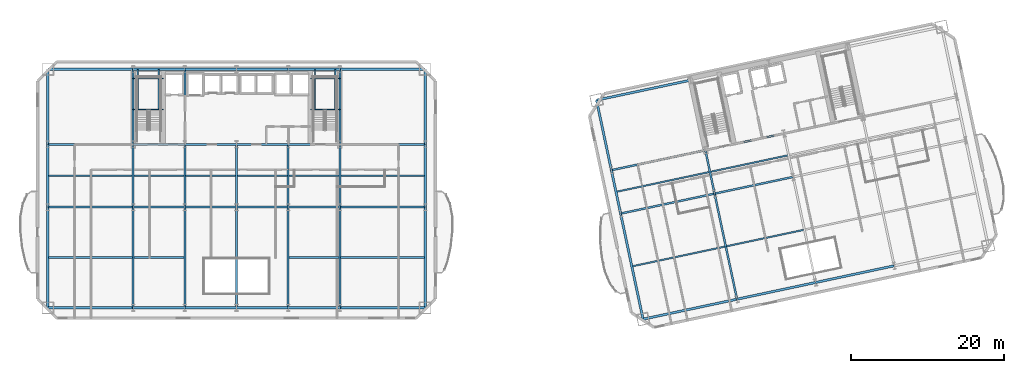
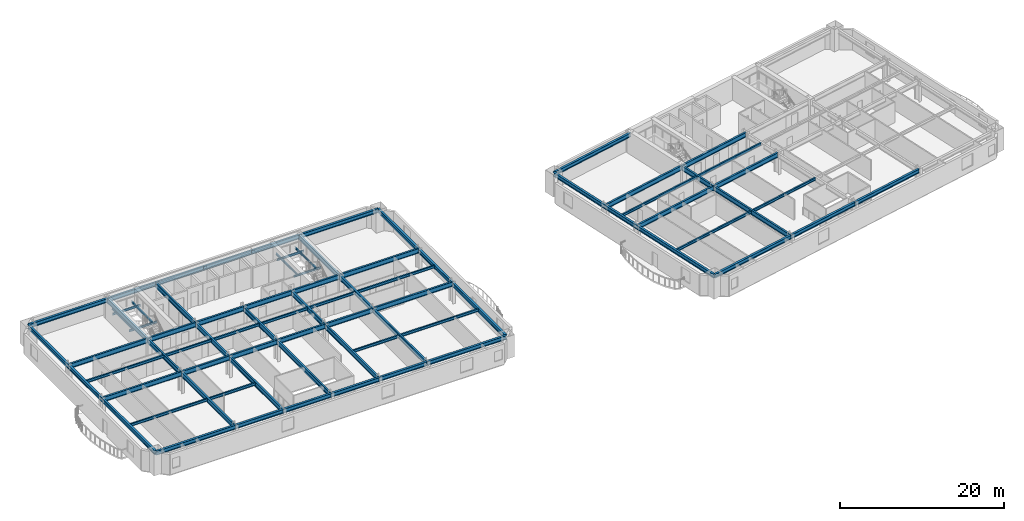
# One storey, part 3 of 16: 78 beams.
"""IFC4 building model written with IfcOpenShell, lengths in metres."""

from ifc_helpers import new_model, si_unit, direction, frame, origin, origin_2d, place, context, subcontext, project, spatial, i_section, extrude, material, material_profile, profile_set, type_object, element, save


model = new_model("IFC4")

# Units and contexts
model_context = context("Model", 3, precision=1e-05, world=origin(), true_north=direction((0.0, 1.0)))
body_context = subcontext(model_context, "Body", "Model", "MODEL_VIEW")
ifc_project = project(units=[si_unit("LENGTHUNIT", "METRE"), si_unit("AREAUNIT", "SQUARE_METRE"), si_unit("VOLUMEUNIT", "CUBIC_METRE"), si_unit("PLANEANGLEUNIT", "RADIAN"), si_unit("MASSUNIT", "GRAM", prefix="KILO")], contexts=[model_context])

# Site, building, storey
site_placement = place(None, origin())
site = spatial("IfcSite", under=ifc_project, at=site_placement, CompositionType="ELEMENT")
building_placement = place(site_placement, origin())
building = spatial("IfcBuilding", under=site, at=building_placement, Name="Haevon Station Towers", CompositionType="ELEMENT")
storey_placement = place(building_placement, frame((0.0, 0.0, 53.699951171875)))
storey = spatial("IfcBuildingStorey", under=building, at=storey_placement, Name="L13", CompositionType="ELEMENT", Elevation=53.699951171875)

# Beams
ifc_material = material(Name="Steel S355", Category="steel")
ifc_material_profile_1 = material_profile(ifc_material, i_section(OverallWidth=0.25, OverallDepth=0.699951171875, WebThickness=0.012939453125, FlangeThickness=0.02392578125, at=origin_2d()), Name="H-700x250x13x24")
ifc_profile_set_1 = profile_set([ifc_material_profile_1], Name="Steel S355")
beam_type_1 = type_object("IfcBeamType", Name="BM-G700", PredefinedType="BEAM", material=ifc_profile_set_1)
beam_1_placement = place(storey_placement, frame((12.85009765625, 30.0, 2.699951171875), z_axis=(1.0, 0.0, 0.0), x_axis=(0.0, 1.0, 0.0)))
element("IfcBeam", 1, at=beam_1_placement, inside=storey, type_object=beam_type_1, Name="BM-T1U-L13-02-01", PredefinedType="BEAM", context=body_context, shape_type="SweptSolid", body=[
    extrude(i_section(OverallWidth=0.25, OverallDepth=0.699951171875, WebThickness=0.012939453125, FlangeThickness=0.02392578125, at=origin_2d()), origin(), (0.0, 0.0, 1.0), 11.14990234375),
])
for number, where, z_axis, x_axis, name in (
    (2, (24.0, 30.0, 2.699951171875), (1.0, 0.0, 0.0), (0.0, 1.0, 0.0), "BM-T1U-L13-02-02"),
    (3, (30.75, 30.0, 2.699951171875), (1.0, 0.0, 0.0), (0.0, 1.0, 0.0), "BM-T1U-L13-02-03"),
    (4, (37.5, 30.0, 2.699951171875), (1.0, 0.0, 0.0), (0.0, 1.0, 0.0), "BM-T1U-L13-02-04"),
    (5, (44.25, 30.0, 2.699951171875), (1.0, 0.0, 0.0), (0.0, 1.0, 0.0), "BM-T1U-L13-02-05"),
):
    element("IfcBeam", number, at=place(storey_placement, frame(where, z_axis=z_axis, x_axis=x_axis)), inside=storey, type_object=beam_type_1, Name=name, PredefinedType="BEAM", context=body_context, shape_type="SweptSolid", body=[
        extrude(i_section(OverallWidth=0.25, OverallDepth=0.699951171875, WebThickness=0.012939453125, FlangeThickness=0.02392578125, at=origin_2d()), origin(), (0.0, 0.0, 1.0), 6.75),
    ])
for number, where, z_axis, x_axis, name in (
    (6, (51.0, 30.0, 2.699951171875), (1.0, 0.0, 0.0), (0.0, 1.0, 0.0), "BM-T1U-L13-02-06"),
    (7, (12.85009765625, 38.199951171875, 2.699951171875), (1.0, 0.0, 0.0), (0.0, 1.0, 0.0), "BM-T1U-L13-03-01"),
):
    element("IfcBeam", number, at=place(storey_placement, frame(where, z_axis=z_axis, x_axis=x_axis)), inside=storey, type_object=beam_type_1, Name=name, PredefinedType="BEAM", context=body_context, shape_type="SweptSolid", body=[
        extrude(i_section(OverallWidth=0.25, OverallDepth=0.699951171875, WebThickness=0.012939453125, FlangeThickness=0.02392578125, at=origin_2d()), origin(), (0.0, 0.0, 1.0), 11.14990234375),
    ])
for number, where, z_axis, x_axis, name in (
    (8, (24.0, 38.199951171875, 2.699951171875), (1.0, 0.0, 0.0), (0.0, 1.0, 0.0), "BM-T1U-L13-03-02"),
    (9, (30.75, 38.199951171875, 2.699951171875), (1.0, 0.0, 0.0), (0.0, 1.0, 0.0), "BM-T1U-L13-03-03"),
    (10, (37.5, 38.199951171875, 2.699951171875), (1.0, 0.0, 0.0), (0.0, 1.0, 0.0), "BM-T1U-L13-03-04"),
    (11, (44.25, 38.199951171875, 2.699951171875), (1.0, 0.0, 0.0), (0.0, 1.0, 0.0), "BM-T1U-L13-03-05"),
):
    element("IfcBeam", number, at=place(storey_placement, frame(where, z_axis=z_axis, x_axis=x_axis)), inside=storey, type_object=beam_type_1, Name=name, PredefinedType="BEAM", context=body_context, shape_type="SweptSolid", body=[
        extrude(i_section(OverallWidth=0.25, OverallDepth=0.699951171875, WebThickness=0.012939453125, FlangeThickness=0.02392578125, at=origin_2d()), origin(), (0.0, 0.0, 1.0), 6.75),
    ])
beam_2_placement = place(storey_placement, frame((51.0, 38.199951171875, 2.699951171875), z_axis=(1.0, 0.0, 0.0), x_axis=(0.0, 1.0, 0.0)))
element("IfcBeam", 12, at=beam_2_placement, inside=storey, type_object=beam_type_1, Name="BM-T1U-L13-03-06", PredefinedType="BEAM", context=body_context, shape_type="SweptSolid", body=[
    extrude(i_section(OverallWidth=0.25, OverallDepth=0.699951171875, WebThickness=0.012939453125, FlangeThickness=0.02392578125, at=origin_2d()), origin(), (0.0, 0.0, 1.0), 11.14990234375),
])
beam_3_placement = place(storey_placement, frame((24.0, 16.85009765625, 2.699951171875), z_axis=(0.0, 1.0, 0.0), x_axis=(-1.0, 0.0, 0.0)))
element("IfcBeam", 13, at=beam_3_placement, inside=storey, type_object=beam_type_1, Name="BM-T1V-L13-02-01", PredefinedType="BEAM", context=body_context, shape_type="SweptSolid", body=[
    extrude(i_section(OverallWidth=0.25, OverallDepth=0.699951171875, WebThickness=0.012939453125, FlangeThickness=0.02392578125, at=origin_2d()), origin(), (0.0, 0.0, 1.0), 13.14990234375),
])
beam_4_placement = place(storey_placement, frame((24.0, 30.0, 2.699951171875), z_axis=(0.0, 1.0, 0.0), x_axis=(-1.0, 0.0, 0.0)))
element("IfcBeam", 14, at=beam_4_placement, inside=storey, type_object=beam_type_1, Name="BM-T1V-L13-02-02", PredefinedType="BEAM", context=body_context, shape_type="SweptSolid", body=[
    extrude(i_section(OverallWidth=0.25, OverallDepth=0.699951171875, WebThickness=0.012939453125, FlangeThickness=0.02392578125, at=origin_2d()), origin(), (0.0, 0.0, 1.0), 8.199951171875),
])
beam_5_placement = place(storey_placement, frame((24.0, 38.199951171875, 2.699951171875), z_axis=(0.0, 1.0, 0.0), x_axis=(-1.0, 0.0, 0.0)))
element("IfcBeam", 15, at=beam_5_placement, inside=storey, type_object=beam_type_1, Name="BM-T1V-L13-02-03", PredefinedType="BEAM", context=body_context, shape_type="SweptSolid", body=[
    extrude(i_section(OverallWidth=0.25, OverallDepth=0.699951171875, WebThickness=0.012939453125, FlangeThickness=0.02392578125, at=origin_2d()), origin(), (0.0, 0.0, 1.0), 9.800048828125),
])
beam_6_placement = place(storey_placement, frame((30.75, 16.85009765625, 2.699951171875), z_axis=(0.0, 1.0, 0.0), x_axis=(-1.0, 0.0, 0.0)))
element("IfcBeam", 16, at=beam_6_placement, inside=storey, type_object=beam_type_1, Name="BM-T1V-L13-03-01", PredefinedType="BEAM", context=body_context, shape_type="SweptSolid", body=[
    extrude(i_section(OverallWidth=0.25, OverallDepth=0.699951171875, WebThickness=0.012939453125, FlangeThickness=0.02392578125, at=origin_2d()), origin(), (0.0, 0.0, 1.0), 13.14990234375),
])
beam_7_placement = place(storey_placement, frame((30.75, 30.0, 2.699951171875), z_axis=(0.0, 1.0, 0.0), x_axis=(-1.0, 0.0, 0.0)))
element("IfcBeam", 17, at=beam_7_placement, inside=storey, type_object=beam_type_1, Name="BM-T1V-L13-03-02", PredefinedType="BEAM", context=body_context, shape_type="SweptSolid", body=[
    extrude(i_section(OverallWidth=0.25, OverallDepth=0.699951171875, WebThickness=0.012939453125, FlangeThickness=0.02392578125, at=origin_2d()), origin(), (0.0, 0.0, 1.0), 8.199951171875),
])
beam_8_placement = place(storey_placement, frame((30.75, 38.199951171875, 2.699951171875), z_axis=(0.0, 1.0, 0.0), x_axis=(-1.0, 0.0, 0.0)))
element("IfcBeam", 18, at=beam_8_placement, inside=storey, type_object=beam_type_1, Name="BM-T1V-L13-03-03", PredefinedType="BEAM", context=body_context, shape_type="SweptSolid", body=[
    extrude(i_section(OverallWidth=0.25, OverallDepth=0.699951171875, WebThickness=0.012939453125, FlangeThickness=0.02392578125, at=origin_2d()), origin(), (0.0, 0.0, 1.0), 9.800048828125),
])
beam_9_placement = place(storey_placement, frame((37.5, 16.85009765625, 2.699951171875), z_axis=(0.0, 1.0, 0.0), x_axis=(-1.0, 0.0, 0.0)))
element("IfcBeam", 19, at=beam_9_placement, inside=storey, type_object=beam_type_1, Name="BM-T1V-L13-04-01", PredefinedType="BEAM", context=body_context, shape_type="SweptSolid", body=[
    extrude(i_section(OverallWidth=0.25, OverallDepth=0.699951171875, WebThickness=0.012939453125, FlangeThickness=0.02392578125, at=origin_2d()), origin(), (0.0, 0.0, 1.0), 13.14990234375),
])
beam_10_placement = place(storey_placement, frame((37.5, 30.0, 2.699951171875), z_axis=(0.0, 1.0, 0.0), x_axis=(-1.0, 0.0, 0.0)))
element("IfcBeam", 20, at=beam_10_placement, inside=storey, type_object=beam_type_1, Name="BM-T1V-L13-04-02", PredefinedType="BEAM", context=body_context, shape_type="SweptSolid", body=[
    extrude(i_section(OverallWidth=0.25, OverallDepth=0.699951171875, WebThickness=0.012939453125, FlangeThickness=0.02392578125, at=origin_2d()), origin(), (0.0, 0.0, 1.0), 8.199951171875),
])
beam_11_placement = place(storey_placement, frame((44.25, 16.85009765625, 2.699951171875), z_axis=(0.0, 1.0, 0.0), x_axis=(-1.0, 0.0, 0.0)))
element("IfcBeam", 21, at=beam_11_placement, inside=storey, type_object=beam_type_1, Name="BM-T1V-L13-05-01", PredefinedType="BEAM", context=body_context, shape_type="SweptSolid", body=[
    extrude(i_section(OverallWidth=0.25, OverallDepth=0.699951171875, WebThickness=0.012939453125, FlangeThickness=0.02392578125, at=origin_2d()), origin(), (0.0, 0.0, 1.0), 13.14990234375),
])
beam_12_placement = place(storey_placement, frame((44.25, 30.0, 2.699951171875), z_axis=(0.0, 1.0, 0.0), x_axis=(-1.0, 0.0, 0.0)))
element("IfcBeam", 22, at=beam_12_placement, inside=storey, type_object=beam_type_1, Name="BM-T1V-L13-05-02", PredefinedType="BEAM", context=body_context, shape_type="SweptSolid", body=[
    extrude(i_section(OverallWidth=0.25, OverallDepth=0.699951171875, WebThickness=0.012939453125, FlangeThickness=0.02392578125, at=origin_2d()), origin(), (0.0, 0.0, 1.0), 8.199951171875),
])
beam_13_placement = place(storey_placement, frame((51.0, 16.85009765625, 2.699951171875), z_axis=(0.0, 1.0, 0.0), x_axis=(-1.0, 0.0, 0.0)))
element("IfcBeam", 23, at=beam_13_placement, inside=storey, type_object=beam_type_1, Name="BM-T1V-L13-06-01", PredefinedType="BEAM", context=body_context, shape_type="SweptSolid", body=[
    extrude(i_section(OverallWidth=0.25, OverallDepth=0.699951171875, WebThickness=0.012939453125, FlangeThickness=0.02392578125, at=origin_2d()), origin(), (0.0, 0.0, 1.0), 13.14990234375),
])
beam_14_placement = place(storey_placement, frame((51.0, 30.0, 2.699951171875), z_axis=(0.0, 1.0, 0.0), x_axis=(-1.0, 0.0, 0.0)))
element("IfcBeam", 24, at=beam_14_placement, inside=storey, type_object=beam_type_1, Name="BM-T1V-L13-06-02", PredefinedType="BEAM", context=body_context, shape_type="SweptSolid", body=[
    extrude(i_section(OverallWidth=0.25, OverallDepth=0.699951171875, WebThickness=0.012939453125, FlangeThickness=0.02392578125, at=origin_2d()), origin(), (0.0, 0.0, 1.0), 8.199951171875),
])
beam_15_placement = place(storey_placement, frame((51.0, 38.199951171875, 2.699951171875), z_axis=(0.0, 1.0, 0.0), x_axis=(-1.0, 0.0, 0.0)))
element("IfcBeam", 25, at=beam_15_placement, inside=storey, type_object=beam_type_1, Name="BM-T1V-L13-06-03", PredefinedType="BEAM", context=body_context, shape_type="SweptSolid", body=[
    extrude(i_section(OverallWidth=0.25, OverallDepth=0.699951171875, WebThickness=0.012939453125, FlangeThickness=0.02392578125, at=origin_2d()), origin(), (0.0, 0.0, 1.0), 9.800048828125),
])
beam_16_placement = place(storey_placement, frame((87.682373046875, 29.159912109375, 2.699951171875), z_axis=(0.978150643069, 0.207897377242, 0.0), x_axis=(-0.207897377242, 0.978150643069, 0.0)))
element("IfcBeam", 26, at=beam_16_placement, inside=storey, type_object=beam_type_1, Name="BM-T2U-L13-02-01", PredefinedType="BEAM", context=body_context, shape_type="SweptSolid", body=[
    extrude(i_section(OverallWidth=0.25, OverallDepth=0.699951171875, WebThickness=0.012939453125, FlangeThickness=0.02392578125, at=origin_2d()), origin(), (0.0, 0.0, 1.0), 12.550048828125),
])
beam_17_placement = place(storey_placement, frame((99.958251953125, 31.76904296875, 2.699951171875), z_axis=(0.978146794194, 0.207915485254, 0.0), x_axis=(-0.207915485254, 0.978146794194, 0.0)))
element("IfcBeam", 27, at=beam_17_placement, inside=storey, type_object=beam_type_1, Name="BM-T2U-L13-02-02", PredefinedType="BEAM", context=body_context, shape_type="SweptSolid", body=[
    extrude(i_section(OverallWidth=0.25, OverallDepth=0.699951171875, WebThickness=0.012939453125, FlangeThickness=0.02392578125, at=origin_2d()), origin(), (0.0, 0.0, 1.0), 10.5),
])
beam_18_placement = place(storey_placement, frame((86.4765625, 34.8330078125, 2.699951171875), z_axis=(0.978146686984, 0.207915989628, 0.0), x_axis=(-0.207915989628, 0.978146686984, 0.0)))
element("IfcBeam", 28, at=beam_18_placement, inside=storey, type_object=beam_type_1, Name="BM-T2U-L13-03-01", PredefinedType="BEAM", context=body_context, shape_type="SweptSolid", body=[
    extrude(i_section(OverallWidth=0.25, OverallDepth=0.699951171875, WebThickness=0.012939453125, FlangeThickness=0.02392578125, at=origin_2d()), origin(), (0.0, 0.0, 1.0), 12.550048828125),
])
beam_19_placement = place(storey_placement, frame((98.75244140625, 37.4423828125, 2.699951171875), z_axis=(0.978146794194, 0.207915485254, 0.0), x_axis=(-0.207915485254, 0.978146794194, 0.0)))
element("IfcBeam", 29, at=beam_19_placement, inside=storey, type_object=beam_type_1, Name="BM-T2U-L13-03-02", PredefinedType="BEAM", context=body_context, shape_type="SweptSolid", body=[
    extrude(i_section(OverallWidth=0.25, OverallDepth=0.699951171875, WebThickness=0.012939453125, FlangeThickness=0.02392578125, at=origin_2d()), origin(), (0.0, 0.0, 1.0), 10.5),
])
beam_20_placement = place(storey_placement, frame((102.889892578125, 17.977294921875, 2.699951171875), z_axis=(-0.207919431961, 0.978145955271, 0.0), x_axis=(-0.978145955271, -0.207919431961, 0.0)))
element("IfcBeam", 30, at=beam_20_placement, inside=storey, type_object=beam_type_1, Name="BM-T2V-L13-02-01", PredefinedType="BEAM", context=body_context, shape_type="SweptSolid", body=[
    extrude(i_section(OverallWidth=0.25, OverallDepth=0.699951171875, WebThickness=0.012939453125, FlangeThickness=0.02392578125, at=origin_2d()), origin(), (0.0, 0.0, 1.0), 14.099853515625),
])
beam_21_placement = place(storey_placement, frame((99.958251953125, 31.76904296875, 2.699951171875), z_axis=(-0.207896009217, 0.97815093383, 0.0), x_axis=(-0.97815093383, -0.207896009217, 0.0)))
element("IfcBeam", 31, at=beam_21_placement, inside=storey, type_object=beam_type_1, Name="BM-T2V-L13-02-02", PredefinedType="BEAM", context=body_context, shape_type="SweptSolid", body=[
    extrude(i_section(OverallWidth=0.25, OverallDepth=0.699951171875, WebThickness=0.012939453125, FlangeThickness=0.02392578125, at=origin_2d()), origin(), (0.0, 0.0, 1.0), 5.800048828125),
])
ifc_material_profile_2 = material_profile(ifc_material, i_section(OverallWidth=0.199951171875, OverallDepth=0.39990234375, WebThickness=0.008056640625, FlangeThickness=0.012939453125, at=origin_2d()), Name="H-400x200x8x13")
ifc_profile_set_2 = profile_set([ifc_material_profile_2], Name="Steel S355")
beam_type_2 = type_object("IfcBeamType", Name="BM-J400", PredefinedType="JOIST", material=ifc_profile_set_2)
beam_22_placement = place(storey_placement, frame((12.9599609375, 23.425048828125, 2.85009765625), z_axis=(1.0, 0.0, 0.0), x_axis=(0.0, 1.0, 0.0)))
element("IfcBeam", 32, at=beam_22_placement, inside=storey, type_object=beam_type_2, Name="BM-T1J-L13-01-01", PredefinedType="JOIST", context=body_context, shape_type="SweptSolid", body=[
    extrude(i_section(OverallWidth=0.199951171875, OverallDepth=0.39990234375, WebThickness=0.008056640625, FlangeThickness=0.012939453125, at=origin_2d()), origin(), (0.0, 0.0, 1.0), 10.929931640625),
])
for number, where, z_axis, x_axis, name in (
    (33, (24.110107421875, 23.425048828125, 2.85009765625), (1.0, 0.0, 0.0), (0.0, 1.0, 0.0), "BM-T1J-L13-01-02"),
    (34, (44.360107421875, 23.425048828125, 2.85009765625), (1.0, 0.0, 0.0), (0.0, 1.0, 0.0), "BM-T1J-L13-01-05"),
):
    element("IfcBeam", number, at=place(storey_placement, frame(where, z_axis=z_axis, x_axis=x_axis)), inside=storey, type_object=beam_type_2, Name=name, PredefinedType="JOIST", context=body_context, shape_type="SweptSolid", body=[
        extrude(i_section(OverallWidth=0.199951171875, OverallDepth=0.39990234375, WebThickness=0.008056640625, FlangeThickness=0.012939453125, at=origin_2d()), origin(), (0.0, 0.0, 1.0), 6.52978515625),
    ])
for number, where, z_axis, x_axis, name in (
    (35, (51.110107421875, 23.425048828125, 2.85009765625), (1.0, 0.0, 0.0), (0.0, 1.0, 0.0), "BM-T1J-L13-01-06"),
    (36, (12.9599609375, 34.10009765625, 2.85009765625), (1.0, 0.0, 0.0), (0.0, 1.0, 0.0), "BM-T1J-L13-02-01"),
):
    element("IfcBeam", number, at=place(storey_placement, frame(where, z_axis=z_axis, x_axis=x_axis)), inside=storey, type_object=beam_type_2, Name=name, PredefinedType="JOIST", context=body_context, shape_type="SweptSolid", body=[
        extrude(i_section(OverallWidth=0.199951171875, OverallDepth=0.39990234375, WebThickness=0.008056640625, FlangeThickness=0.012939453125, at=origin_2d()), origin(), (0.0, 0.0, 1.0), 10.929931640625),
    ])
for number, where, z_axis, x_axis, name in (
    (37, (24.110107421875, 34.10009765625, 2.85009765625), (1.0, 0.0, 0.0), (0.0, 1.0, 0.0), "BM-T1J-L13-02-02"),
    (38, (30.860107421875, 34.10009765625, 2.85009765625), (1.0, 0.0, 0.0), (0.0, 1.0, 0.0), "BM-T1J-L13-02-03"),
    (39, (37.610107421875, 34.10009765625, 2.85009765625), (1.0, 0.0, 0.0), (0.0, 1.0, 0.0), "BM-T1J-L13-02-04"),
    (40, (44.360107421875, 34.10009765625, 2.85009765625), (1.0, 0.0, 0.0), (0.0, 1.0, 0.0), "BM-T1J-L13-02-05"),
):
    element("IfcBeam", number, at=place(storey_placement, frame(where, z_axis=z_axis, x_axis=x_axis)), inside=storey, type_object=beam_type_2, Name=name, PredefinedType="JOIST", context=body_context, shape_type="SweptSolid", body=[
        extrude(i_section(OverallWidth=0.199951171875, OverallDepth=0.39990234375, WebThickness=0.008056640625, FlangeThickness=0.012939453125, at=origin_2d()), origin(), (0.0, 0.0, 1.0), 6.52978515625),
    ])
beam_23_placement = place(storey_placement, frame((51.110107421875, 34.10009765625, 2.85009765625), z_axis=(1.0, 0.0, 0.0), x_axis=(0.0, 1.0, 0.0)))
element("IfcBeam", 41, at=beam_23_placement, inside=storey, type_object=beam_type_2, Name="BM-T1J-L13-02-06", PredefinedType="JOIST", context=body_context, shape_type="SweptSolid", body=[
    extrude(i_section(OverallWidth=0.199951171875, OverallDepth=0.39990234375, WebThickness=0.008056640625, FlangeThickness=0.012939453125, at=origin_2d()), origin(), (0.0, 0.0, 1.0), 10.929931640625),
])
beam_24_placement = place(storey_placement, frame((89.255859375, 22.286865234375, 2.85009765625), z_axis=(0.97814878519, 0.20790611831, 0.0), x_axis=(-0.20790611831, 0.97814878519, 0.0)))
element("IfcBeam", 42, at=beam_24_placement, inside=storey, type_object=beam_type_2, Name="BM-T2J-L13-01-01", PredefinedType="JOIST", context=body_context, shape_type="SweptSolid", body=[
    extrude(i_section(OverallWidth=0.199951171875, OverallDepth=0.39990234375, WebThickness=0.008056640625, FlangeThickness=0.012939453125, at=origin_2d()), origin(), (0.0, 0.0, 1.0), 12.330078125),
])
beam_25_placement = place(storey_placement, frame((101.531494140625, 24.89599609375, 2.85009765625), z_axis=(0.978145509903, 0.207921527161, 0.0), x_axis=(-0.207921527161, 0.978145509903, 0.0)))
element("IfcBeam", 43, at=beam_25_placement, inside=storey, type_object=beam_type_2, Name="BM-T2J-L13-01-02", PredefinedType="JOIST", context=body_context, shape_type="SweptSolid", body=[
    extrude(i_section(OverallWidth=0.199951171875, OverallDepth=0.39990234375, WebThickness=0.008056640625, FlangeThickness=0.012939453125, at=origin_2d()), origin(), (0.0, 0.0, 1.0), 10.280029296875),
])
beam_26_placement = place(storey_placement, frame((87.187255859375, 32.019287109375, 2.85009765625), z_axis=(0.978144758315, 0.207925062896, 0.0), x_axis=(-0.207925062896, 0.978144758315, 0.0)))
element("IfcBeam", 44, at=beam_26_placement, inside=storey, type_object=beam_type_2, Name="BM-T2J-L13-02-01", PredefinedType="JOIST", context=body_context, shape_type="SweptSolid", body=[
    extrude(i_section(OverallWidth=0.199951171875, OverallDepth=0.39990234375, WebThickness=0.008056640625, FlangeThickness=0.012939453125, at=origin_2d()), origin(), (0.0, 0.0, 1.0), 12.330078125),
])
beam_27_placement = place(storey_placement, frame((99.462890625, 34.628662109375, 2.85009765625), z_axis=(0.978150339653, 0.207898804801, 0.0), x_axis=(-0.207898804801, 0.978150339653, 0.0)))
element("IfcBeam", 45, at=beam_27_placement, inside=storey, type_object=beam_type_2, Name="BM-T2J-L13-02-02", PredefinedType="JOIST", context=body_context, shape_type="SweptSolid", body=[
    extrude(i_section(OverallWidth=0.199951171875, OverallDepth=0.39990234375, WebThickness=0.008056640625, FlangeThickness=0.012939453125, at=origin_2d()), origin(), (0.0, 0.0, 1.0), 10.280029296875),
])
ifc_material_profile_3 = material_profile(ifc_material, i_section(OverallWidth=0.14990234375, OverallDepth=0.300048828125, WebThickness=0.006591796875, FlangeThickness=0.009033203125, at=origin_2d()), Name="H-300x150x6.5x9")
ifc_profile_set_3 = profile_set([ifc_material_profile_3], Name="Steel S355")
beam_type_3 = type_object("IfcBeamType", Name="BM-LIN300", PredefinedType="LINTEL", material=ifc_profile_set_3)
for number, where, z_axis, x_axis, name in (
    (46, (24.0, 42.743896484375, 1.300048828125), (1.0, 0.0, 0.0), (0.0, 1.0, 0.0), "BM-ST1L-L13-1-S"),
    (47, (24.0, 46.820068359375, 1.300048828125), (1.0, 0.0, 0.0), (0.0, 1.0, 0.0), "BM-ST1L-L13-1-N"),
):
    element("IfcBeam", number, at=place(storey_placement, frame(where, z_axis=z_axis, x_axis=x_axis)), inside=storey, type_object=beam_type_3, Name=name, PredefinedType="LINTEL", context=body_context, shape_type="SweptSolid", body=[
        extrude(i_section(OverallWidth=0.14990234375, OverallDepth=0.300048828125, WebThickness=0.006591796875, FlangeThickness=0.009033203125, at=origin_2d()), origin(), (0.0, 0.0, 1.0), 3.949951171875),
    ])
for number, where, z_axis, x_axis, name in (
    (48, (24.60009765625, 42.743896484375, 1.300048828125), (0.0, 1.0, 0.0), (-1.0, 0.0, 0.0), "BM-ST1L-L13-1-W"),
    (49, (27.35009765625, 42.743896484375, 1.300048828125), (0.0, 1.0, 0.0), (-1.0, 0.0, 0.0), "BM-ST1L-L13-1-E"),
):
    element("IfcBeam", number, at=place(storey_placement, frame(where, z_axis=z_axis, x_axis=x_axis)), inside=storey, type_object=beam_type_3, Name=name, PredefinedType="LINTEL", context=body_context, shape_type="SweptSolid", body=[
        extrude(i_section(OverallWidth=0.14990234375, OverallDepth=0.300048828125, WebThickness=0.006591796875, FlangeThickness=0.009033203125, at=origin_2d()), origin(), (0.0, 0.0, 1.0), 5.256103515625),
    ])
for number, where, z_axis, x_axis, name in (
    (50, (47.14990234375, 42.743896484375, 1.300048828125), (1.0, 0.0, 0.0), (0.0, 1.0, 0.0), "BM-ST2L-L13-1-S"),
    (51, (47.14990234375, 46.820068359375, 1.300048828125), (1.0, 0.0, 0.0), (0.0, 1.0, 0.0), "BM-ST2L-L13-1-N"),
):
    element("IfcBeam", number, at=place(storey_placement, frame(where, z_axis=z_axis, x_axis=x_axis)), inside=storey, type_object=beam_type_3, Name=name, PredefinedType="LINTEL", context=body_context, shape_type="SweptSolid", body=[
        extrude(i_section(OverallWidth=0.14990234375, OverallDepth=0.300048828125, WebThickness=0.006591796875, FlangeThickness=0.009033203125, at=origin_2d()), origin(), (0.0, 0.0, 1.0), 3.85009765625),
    ])
for number, where, z_axis, x_axis, name in (
    (52, (47.75, 42.743896484375, 1.300048828125), (0.0, 1.0, 0.0), (-1.0, 0.0, 0.0), "BM-ST2L-L13-1-W"),
    (53, (50.39990234375, 42.743896484375, 1.300048828125), (0.0, 1.0, 0.0), (-1.0, 0.0, 0.0), "BM-ST2L-L13-1-E"),
):
    element("IfcBeam", number, at=place(storey_placement, frame(where, z_axis=z_axis, x_axis=x_axis)), inside=storey, type_object=beam_type_3, Name=name, PredefinedType="LINTEL", context=body_context, shape_type="SweptSolid", body=[
        extrude(i_section(OverallWidth=0.14990234375, OverallDepth=0.300048828125, WebThickness=0.006591796875, FlangeThickness=0.009033203125, at=origin_2d()), origin(), (0.0, 0.0, 1.0), 5.256103515625),
    ])
ifc_material_profile_4 = material_profile(ifc_material, i_section(OverallWidth=0.300048828125, OverallDepth=0.587890625, WebThickness=0.011962890625, FlangeThickness=0.02001953125, at=origin_2d()), Name="H-588x300x12x20")
ifc_profile_set_4 = profile_set([ifc_material_profile_4], Name="Steel S355")
beam_type_4 = type_object("IfcBeamType", Name="BM-SP588", PredefinedType="SPANDREL", material=ifc_profile_set_4)
beam_28_placement = place(storey_placement, frame((12.85009765625, 16.85009765625, 2.756103515625), z_axis=(1.0, 0.0, 0.0), x_axis=(0.0, 1.0, 0.0)))
element("IfcBeam", 54, at=beam_28_placement, inside=storey, type_object=beam_type_4, Name="BM-T1U-L13-01-01", PredefinedType="SPANDREL", context=body_context, shape_type="SweptSolid", body=[
    extrude(i_section(OverallWidth=0.300048828125, OverallDepth=0.587890625, WebThickness=0.011962890625, FlangeThickness=0.02001953125, at=origin_2d()), origin(), (0.0, 0.0, 1.0), 11.14990234375),
])
for number, where, z_axis, x_axis, name in (
    (55, (24.0, 16.85009765625, 2.756103515625), (1.0, 0.0, 0.0), (0.0, 1.0, 0.0), "BM-T1U-L13-01-02"),
    (56, (30.75, 16.85009765625, 2.756103515625), (1.0, 0.0, 0.0), (0.0, 1.0, 0.0), "BM-T1U-L13-01-03"),
    (57, (37.5, 16.85009765625, 2.756103515625), (1.0, 0.0, 0.0), (0.0, 1.0, 0.0), "BM-T1U-L13-01-04"),
    (58, (44.25, 16.85009765625, 2.756103515625), (1.0, 0.0, 0.0), (0.0, 1.0, 0.0), "BM-T1U-L13-01-05"),
):
    element("IfcBeam", number, at=place(storey_placement, frame(where, z_axis=z_axis, x_axis=x_axis)), inside=storey, type_object=beam_type_4, Name=name, PredefinedType="SPANDREL", context=body_context, shape_type="SweptSolid", body=[
        extrude(i_section(OverallWidth=0.300048828125, OverallDepth=0.587890625, WebThickness=0.011962890625, FlangeThickness=0.02001953125, at=origin_2d()), origin(), (0.0, 0.0, 1.0), 6.75),
    ])
for number, where, z_axis, x_axis, name in (
    (59, (51.0, 16.85009765625, 2.756103515625), (1.0, 0.0, 0.0), (0.0, 1.0, 0.0), "BM-T1U-L13-01-06"),
    (60, (12.85009765625, 48.0, 2.756103515625), (1.0, 0.0, 0.0), (0.0, 1.0, 0.0), "BM-T1U-L13-04-01"),
):
    element("IfcBeam", number, at=place(storey_placement, frame(where, z_axis=z_axis, x_axis=x_axis)), inside=storey, type_object=beam_type_4, Name=name, PredefinedType="SPANDREL", context=body_context, shape_type="SweptSolid", body=[
        extrude(i_section(OverallWidth=0.300048828125, OverallDepth=0.587890625, WebThickness=0.011962890625, FlangeThickness=0.02001953125, at=origin_2d()), origin(), (0.0, 0.0, 1.0), 11.14990234375),
    ])
for number, where, z_axis, x_axis, name in (
    (61, (24.0, 48.0, 2.756103515625), (1.0, 0.0, 0.0), (0.0, 1.0, 0.0), "BM-T1U-L13-04-02"),
    (62, (30.75, 48.0, 2.756103515625), (1.0, 0.0, 0.0), (0.0, 1.0, 0.0), "BM-T1U-L13-04-03"),
    (63, (37.5, 48.0, 2.756103515625), (1.0, 0.0, 0.0), (0.0, 1.0, 0.0), "BM-T1U-L13-04-04"),
    (64, (44.25, 48.0, 2.756103515625), (1.0, 0.0, 0.0), (0.0, 1.0, 0.0), "BM-T1U-L13-04-05"),
):
    element("IfcBeam", number, at=place(storey_placement, frame(where, z_axis=z_axis, x_axis=x_axis)), inside=storey, type_object=beam_type_4, Name=name, PredefinedType="SPANDREL", context=body_context, shape_type="SweptSolid", body=[
        extrude(i_section(OverallWidth=0.300048828125, OverallDepth=0.587890625, WebThickness=0.011962890625, FlangeThickness=0.02001953125, at=origin_2d()), origin(), (0.0, 0.0, 1.0), 6.75),
    ])
beam_29_placement = place(storey_placement, frame((51.0, 48.0, 2.756103515625), z_axis=(1.0, 0.0, 0.0), x_axis=(0.0, 1.0, 0.0)))
element("IfcBeam", 65, at=beam_29_placement, inside=storey, type_object=beam_type_4, Name="BM-T1U-L13-04-06", PredefinedType="SPANDREL", context=body_context, shape_type="SweptSolid", body=[
    extrude(i_section(OverallWidth=0.300048828125, OverallDepth=0.587890625, WebThickness=0.011962890625, FlangeThickness=0.02001953125, at=origin_2d()), origin(), (0.0, 0.0, 1.0), 11.14990234375),
])
beam_30_placement = place(storey_placement, frame((12.85009765625, 16.85009765625, 2.756103515625), z_axis=(0.0, 1.0, 0.0), x_axis=(-1.0, 0.0, 0.0)))
element("IfcBeam", 66, at=beam_30_placement, inside=storey, type_object=beam_type_4, Name="BM-T1V-L13-01-01", PredefinedType="SPANDREL", context=body_context, shape_type="SweptSolid", body=[
    extrude(i_section(OverallWidth=0.300048828125, OverallDepth=0.587890625, WebThickness=0.011962890625, FlangeThickness=0.02001953125, at=origin_2d()), origin(), (0.0, 0.0, 1.0), 13.14990234375),
])
beam_31_placement = place(storey_placement, frame((12.85009765625, 30.0, 2.756103515625), z_axis=(0.0, 1.0, 0.0), x_axis=(-1.0, 0.0, 0.0)))
element("IfcBeam", 67, at=beam_31_placement, inside=storey, type_object=beam_type_4, Name="BM-T1V-L13-01-02", PredefinedType="SPANDREL", context=body_context, shape_type="SweptSolid", body=[
    extrude(i_section(OverallWidth=0.300048828125, OverallDepth=0.587890625, WebThickness=0.011962890625, FlangeThickness=0.02001953125, at=origin_2d()), origin(), (0.0, 0.0, 1.0), 8.199951171875),
])
beam_32_placement = place(storey_placement, frame((12.85009765625, 38.199951171875, 2.756103515625), z_axis=(0.0, 1.0, 0.0), x_axis=(-1.0, 0.0, 0.0)))
element("IfcBeam", 68, at=beam_32_placement, inside=storey, type_object=beam_type_4, Name="BM-T1V-L13-01-03", PredefinedType="SPANDREL", context=body_context, shape_type="SweptSolid", body=[
    extrude(i_section(OverallWidth=0.300048828125, OverallDepth=0.587890625, WebThickness=0.011962890625, FlangeThickness=0.02001953125, at=origin_2d()), origin(), (0.0, 0.0, 1.0), 9.800048828125),
])
beam_33_placement = place(storey_placement, frame((62.14990234375, 16.85009765625, 2.756103515625), z_axis=(0.0, 1.0, 0.0), x_axis=(-1.0, 0.0, 0.0)))
element("IfcBeam", 69, at=beam_33_placement, inside=storey, type_object=beam_type_4, Name="BM-T1V-L13-07-01", PredefinedType="SPANDREL", context=body_context, shape_type="SweptSolid", body=[
    extrude(i_section(OverallWidth=0.300048828125, OverallDepth=0.587890625, WebThickness=0.011962890625, FlangeThickness=0.02001953125, at=origin_2d()), origin(), (0.0, 0.0, 1.0), 13.14990234375),
])
beam_34_placement = place(storey_placement, frame((62.14990234375, 30.0, 2.756103515625), z_axis=(0.0, 1.0, 0.0), x_axis=(-1.0, 0.0, 0.0)))
element("IfcBeam", 70, at=beam_34_placement, inside=storey, type_object=beam_type_4, Name="BM-T1V-L13-07-02", PredefinedType="SPANDREL", context=body_context, shape_type="SweptSolid", body=[
    extrude(i_section(OverallWidth=0.300048828125, OverallDepth=0.587890625, WebThickness=0.011962890625, FlangeThickness=0.02001953125, at=origin_2d()), origin(), (0.0, 0.0, 1.0), 8.199951171875),
])
beam_35_placement = place(storey_placement, frame((62.14990234375, 38.199951171875, 2.756103515625), z_axis=(0.0, 1.0, 0.0), x_axis=(-1.0, 0.0, 0.0)))
element("IfcBeam", 71, at=beam_35_placement, inside=storey, type_object=beam_type_4, Name="BM-T1V-L13-07-03", PredefinedType="SPANDREL", context=body_context, shape_type="SweptSolid", body=[
    extrude(i_section(OverallWidth=0.300048828125, OverallDepth=0.587890625, WebThickness=0.011962890625, FlangeThickness=0.02001953125, at=origin_2d()), origin(), (0.0, 0.0, 1.0), 9.800048828125),
])
beam_36_placement = place(storey_placement, frame((90.614013671875, 15.367919921875, 2.756103515625), z_axis=(0.978146686984, 0.207915989628, 0.0), x_axis=(-0.207915989628, 0.978146686984, 0.0)))
element("IfcBeam", 72, at=beam_36_placement, inside=storey, type_object=beam_type_4, Name="BM-T2U-L13-01-01", PredefinedType="SPANDREL", context=body_context, shape_type="SweptSolid", body=[
    extrude(i_section(OverallWidth=0.300048828125, OverallDepth=0.587890625, WebThickness=0.011962890625, FlangeThickness=0.02001953125, at=origin_2d()), origin(), (0.0, 0.0, 1.0), 12.550048828125),
])
for number, where, z_axis, x_axis, name in (
    (73, (102.889892578125, 17.977294921875, 2.756103515625), (0.978146794194, 0.207915485254, 0.0), (-0.207915485254, 0.978146794194, 0.0), "BM-T2U-L13-01-02"),
    (74, (113.160400390625, 20.160400390625, 2.756103515625), (0.978146794194, 0.207915485254, 0.0), (-0.207915485254, 0.978146794194, 0.0), "BM-T2U-L13-01-03"),
):
    element("IfcBeam", number, at=place(storey_placement, frame(where, z_axis=z_axis, x_axis=x_axis)), inside=storey, type_object=beam_type_4, Name=name, PredefinedType="SPANDREL", context=body_context, shape_type="SweptSolid", body=[
        extrude(i_section(OverallWidth=0.300048828125, OverallDepth=0.587890625, WebThickness=0.011962890625, FlangeThickness=0.02001953125, at=origin_2d()), origin(), (0.0, 0.0, 1.0), 10.5),
    ])
beam_37_placement = place(storey_placement, frame((84.53271484375, 43.978759765625, 2.756103515625), z_axis=(0.978145846015, 0.207919945948, 0.0), x_axis=(-0.207919945948, 0.978145846015, 0.0)))
element("IfcBeam", 75, at=beam_37_placement, inside=storey, type_object=beam_type_4, Name="BM-T2U-L13-04-01", PredefinedType="SPANDREL", context=body_context, shape_type="SweptSolid", body=[
    extrude(i_section(OverallWidth=0.300048828125, OverallDepth=0.587890625, WebThickness=0.011962890625, FlangeThickness=0.02001953125, at=origin_2d()), origin(), (0.0, 0.0, 1.0), 12.5498046875),
])
beam_38_placement = place(storey_placement, frame((90.614013671875, 15.367919921875, 2.756103515625), z_axis=(-0.207915910556, 0.978146703791, 0.0), x_axis=(-0.978146703791, -0.207915910556, 0.0)))
element("IfcBeam", 76, at=beam_38_placement, inside=storey, type_object=beam_type_4, Name="BM-T2V-L13-01-01", PredefinedType="SPANDREL", context=body_context, shape_type="SweptSolid", body=[
    extrude(i_section(OverallWidth=0.300048828125, OverallDepth=0.587890625, WebThickness=0.011962890625, FlangeThickness=0.02001953125, at=origin_2d()), origin(), (0.0, 0.0, 1.0), 14.10009765625),
])
beam_39_placement = place(storey_placement, frame((87.682373046875, 29.159912109375, 2.756103515625), z_axis=(-0.207904569273, 0.978149114438, 0.0), x_axis=(-0.978149114438, -0.207904569273, 0.0)))
element("IfcBeam", 77, at=beam_39_placement, inside=storey, type_object=beam_type_4, Name="BM-T2V-L13-01-02", PredefinedType="SPANDREL", context=body_context, shape_type="SweptSolid", body=[
    extrude(i_section(OverallWidth=0.300048828125, OverallDepth=0.587890625, WebThickness=0.011962890625, FlangeThickness=0.02001953125, at=origin_2d()), origin(), (0.0, 0.0, 1.0), 5.7998046875),
])
beam_40_placement = place(storey_placement, frame((86.4765625, 34.8330078125, 2.756103515625), z_axis=(-0.207897167074, 0.978150687738, 0.0), x_axis=(-0.978150687738, -0.207897167074, 0.0)))
element("IfcBeam", 78, at=beam_40_placement, inside=storey, type_object=beam_type_4, Name="BM-T2V-L13-01-03", PredefinedType="SPANDREL", context=body_context, shape_type="SweptSolid", body=[
    extrude(i_section(OverallWidth=0.300048828125, OverallDepth=0.587890625, WebThickness=0.011962890625, FlangeThickness=0.02001953125, at=origin_2d()), origin(), (0.0, 0.0, 1.0), 9.35009765625),
])

save(model, "model.ifc")
